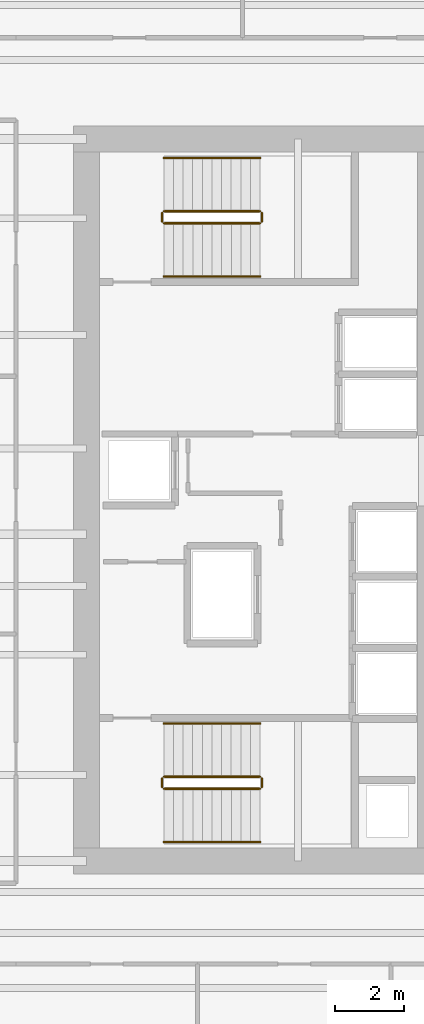
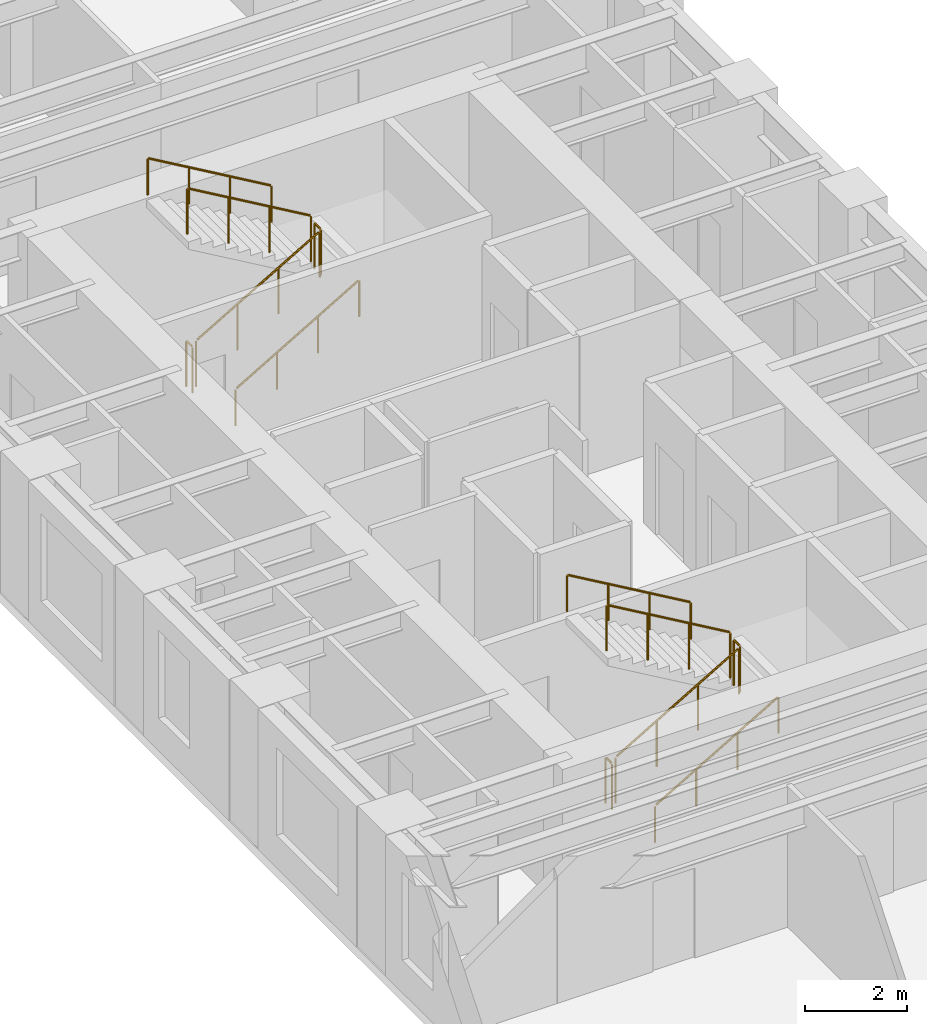
# One storey, part 13 of 14: 12 railings.
"""IFC4 building model written with IfcOpenShell, lengths in metres."""

from ifc_helpers import new_model, si_unit, direction, frame, origin, origin_2d, place, context, subcontext, project, spatial, circle, extrude, source, transform, mapped, material, layer, layer_set, type_object, element, save


model = new_model("IFC4")

# Units and contexts
model_context = context("Model", 3, precision=1e-05, world=origin(), true_north=direction((0.0, 1.0)))
body_context = subcontext(model_context, "Body", "Model", "MODEL_VIEW")
ifc_project = project(units=[si_unit("LENGTHUNIT", "METRE"), si_unit("AREAUNIT", "SQUARE_METRE"), si_unit("VOLUMEUNIT", "CUBIC_METRE"), si_unit("PLANEANGLEUNIT", "RADIAN"), si_unit("MASSUNIT", "GRAM", prefix="KILO")], contexts=[model_context])

# Site, building, storey
site_placement = place(None, origin())
site = spatial("IfcSite", under=ifc_project, at=site_placement, CompositionType="ELEMENT")
building_placement = place(site_placement, origin())
building = spatial("IfcBuilding", under=site, at=building_placement, Name="Kharzan Plaza Tower", CompositionType="ELEMENT")
storey_placement = place(building_placement, frame((0.0, 0.0, 131.39990234375)))
storey = spatial("IfcBuildingStorey", under=building, at=storey_placement, Name="L35", CompositionType="ELEMENT", Elevation=131.39990234375)

# Railings
ifc_material_1 = material(Name="Painted Galvanized Architectural Steel", Category="steel")
ifc_layer_1 = layer(ifc_material_1, 0.074951171875)
ifc_layer_set_1 = layer_set([ifc_layer_1], Name="Painted Galvanized Architectural Steel")
railing_type_1 = type_object("IfcRailingType", Name="RL-GUARD-1120", PredefinedType="BALUSTRADE", material=ifc_layer_set_1)
shared_shape_1 = source(origin(), body_context, "Body", "SweptSolid", [
    extrude(circle(Radius=0.02392578125, at=origin_2d()), frame((0.0, 0.0263671875, 1.09619140625), z_axis=(0.0, 1.0, 0.0), x_axis=(-1.0, 0.0, 0.0)), (0.0, 0.0, 1.0), 0.197021484375),
    extrude(circle(Radius=0.02099609375, at=origin_2d()), origin(), (0.0, 0.0, 1.0), 1.072021484375),
    extrude(circle(Radius=0.02099609375, at=origin_2d()), frame((0.0, 0.25, 0.0)), (0.0, 0.0, 1.0), 1.072021484375),
])
for number, where, name in (
    (1, (9.60009765625, 10.64990234375, 1.800048828125), "L35 ST-1 stair guard 2"),
    (2, (6.699951171875, 10.64990234375, 0.0), "L35 ST-1 stair guard 4"),
    (3, (9.60009765625, 27.10009765625, 1.800048828125), "L35 ST-2 stair guard 2"),
    (4, (6.699951171875, 27.10009765625, 0.0), "L35 ST-2 stair guard 4"),
):
    element("IfcRailing", number, at=place(storey_placement, frame(where)), inside=storey, type_object=railing_type_1, Name=name, PredefinedType="BALUSTRADE", context=body_context, shape_type="MappedRepresentation", body=[
        mapped(shared_shape_1, transform((0.0, 0.0, 0.0), x_axis=(1.0, 0.0, 0.0), y_axis=(0.0, 1.0, 0.0), z_axis=(0.0, 0.0, 1.0))),
    ])
shared_shape_2 = source(origin(), body_context, "Body", "SweptSolid", [
    extrude(circle(Radius=0.02392578125, at=origin_2d()), frame((-0.02294921875, 0.0, 1.109375), z_axis=(-0.863360870873, 0.0, 0.504586966384), x_axis=(0.0, -1.0, 0.0)), (0.0, 0.0, 1.0), 3.190185546875),
    extrude(circle(Radius=0.02099609375, at=origin_2d()), origin(), (0.0, 0.0, 1.0), 1.072021484375),
    extrude(circle(Radius=0.02099609375, at=origin_2d()), frame((-0.933349609375, 0.0, 0.54541015625)), (0.0, 0.0, 1.0), 1.072021484375),
    extrude(circle(Radius=0.02099609375, at=origin_2d()), frame((-1.86669921875, 0.0, 1.091064453125)), (0.0, 0.0, 1.0), 1.072021484375),
    extrude(circle(Radius=0.02099609375, at=origin_2d()), frame((-2.800048828125, 0.0, 1.636474609375)), (0.0, 0.0, 1.0), 1.072021484375),
])
for number, where, name in (
    (5, (9.550048828125, 10.949951171875, 1.963623046875), "L35 ST-1 stair guard 3"),
    (6, (9.550048828125, 27.39990234375, 1.963623046875), "L35 ST-2 stair guard 3"),
):
    element("IfcRailing", number, at=place(storey_placement, frame(where)), inside=storey, type_object=railing_type_1, Name=name, PredefinedType="BALUSTRADE", context=body_context, shape_type="MappedRepresentation", body=[
        mapped(shared_shape_2, transform((0.0, 0.0, 0.0), x_axis=(1.0, 0.0, 0.0), y_axis=(0.0, 1.0, 0.0), z_axis=(0.0, 0.0, 1.0))),
    ])
ifc_material_2 = material(Name="Brushed Stainless Steel", Category="steel")
ifc_layer_2 = layer(ifc_material_2, 0.050048828125)
ifc_layer_set_2 = layer_set([ifc_layer_2], Name="Brushed Stainless Steel")
railing_type_2 = type_object("IfcRailingType", Name="RL-STAIR-HR920", PredefinedType="HANDRAIL", material=ifc_layer_set_2)
shared_shape_3 = source(origin(), body_context, "Body", "SweptSolid", [
    extrude(circle(Radius=0.02392578125, at=origin_2d()), frame((-0.02294921875, 0.0, 0.88916015625), z_axis=(-0.863360870873, 0.0, 0.504586966384), x_axis=(0.0, -1.0, 0.0)), (0.0, 0.0, 1.0), 3.190185546875),
    extrude(circle(Radius=0.02099609375, at=origin_2d()), origin(), (0.0, 0.0, 1.0), 0.851806640625),
    extrude(circle(Radius=0.02099609375, at=origin_2d()), frame((-0.933349609375, 0.0, 0.54541015625)), (0.0, 0.0, 1.0), 0.851806640625),
    extrude(circle(Radius=0.02099609375, at=origin_2d()), frame((-1.86669921875, 0.0, 1.091064453125)), (0.0, 0.0, 1.0), 0.851806640625),
    extrude(circle(Radius=0.02099609375, at=origin_2d()), frame((-2.800048828125, 0.0, 1.636474609375)), (0.0, 0.0, 1.0), 0.851806640625),
])
for number, where, name in (
    (7, (9.550048828125, 12.5, 1.963623046875), "L35 ST-1 stair handrail 2"),
    (8, (9.550048828125, 28.949951171875, 1.963623046875), "L35 ST-2 stair handrail 2"),
):
    element("IfcRailing", number, at=place(storey_placement, frame(where)), inside=storey, type_object=railing_type_2, Name=name, PredefinedType="HANDRAIL", context=body_context, shape_type="MappedRepresentation", body=[
        mapped(shared_shape_3, transform((0.0, 0.0, 0.0), x_axis=(1.0, 0.0, 0.0), y_axis=(0.0, 1.0, 0.0), z_axis=(0.0, 0.0, 1.0))),
    ])
shared_shape_4 = source(origin(), body_context, "Body", "SweptSolid", [
    extrude(circle(Radius=0.02392578125, at=origin_2d()), frame((0.02294921875, 0.0, 1.109375), z_axis=(0.863393664356, 0.0, 0.504530851732), x_axis=(0.0, 1.0, 0.0)), (0.0, 0.0, 1.0), 3.190185546875),
    extrude(circle(Radius=0.02099609375, at=origin_2d()), origin(), (0.0, 0.0, 1.0), 1.072021484375),
    extrude(circle(Radius=0.02099609375, at=origin_2d()), frame((0.933349609375, 0.0, 0.54541015625)), (0.0, 0.0, 1.0), 1.072021484375),
    extrude(circle(Radius=0.02099609375, at=origin_2d()), frame((1.86669921875, 0.0, 1.0908203125)), (0.0, 0.0, 1.0), 1.072021484375),
    extrude(circle(Radius=0.02099609375, at=origin_2d()), frame((2.800048828125, 0.0, 1.63623046875)), (0.0, 0.0, 1.0), 1.072021484375),
])
for number, where, name in (
    (9, (6.75, 10.60009765625, 0.163818359375), "L35 ST-1 stair guard 1"),
    (10, (6.75, 27.050048828125, 0.163818359375), "L35 ST-2 stair guard 1"),
):
    element("IfcRailing", number, at=place(storey_placement, frame(where)), inside=storey, type_object=railing_type_1, Name=name, PredefinedType="BALUSTRADE", context=body_context, shape_type="MappedRepresentation", body=[
        mapped(shared_shape_4, transform((0.0, 0.0, 0.0), x_axis=(1.0, 0.0, 0.0), y_axis=(0.0, 1.0, 0.0), z_axis=(0.0, 0.0, 1.0))),
    ])
shared_shape_5 = source(origin(), body_context, "Body", "SweptSolid", [
    extrude(circle(Radius=0.02392578125, at=origin_2d()), frame((0.02294921875, 0.0, 0.88916015625), z_axis=(0.863393664356, 0.0, 0.504530851732), x_axis=(0.0, 1.0, 0.0)), (0.0, 0.0, 1.0), 3.190185546875),
    extrude(circle(Radius=0.02099609375, at=origin_2d()), origin(), (0.0, 0.0, 1.0), 0.851806640625),
    extrude(circle(Radius=0.02099609375, at=origin_2d()), frame((0.933349609375, 0.0, 0.54541015625)), (0.0, 0.0, 1.0), 0.851806640625),
    extrude(circle(Radius=0.02099609375, at=origin_2d()), frame((1.86669921875, 0.0, 1.0908203125)), (0.0, 0.0, 1.0), 0.851806640625),
    extrude(circle(Radius=0.02099609375, at=origin_2d()), frame((2.800048828125, 0.0, 1.63623046875)), (0.0, 0.0, 1.0), 0.851806640625),
])
for number, where, name in (
    (11, (6.75, 9.050048828125, 0.163818359375), "L35 ST-1 stair handrail 1"),
    (12, (6.75, 25.5, 0.163818359375), "L35 ST-2 stair handrail 1"),
):
    element("IfcRailing", number, at=place(storey_placement, frame(where)), inside=storey, type_object=railing_type_2, Name=name, PredefinedType="HANDRAIL", context=body_context, shape_type="MappedRepresentation", body=[
        mapped(shared_shape_5, transform((0.0, 0.0, 0.0), x_axis=(1.0, 0.0, 0.0), y_axis=(0.0, 1.0, 0.0), z_axis=(0.0, 0.0, 1.0))),
    ])

save(model, "model.ifc")
